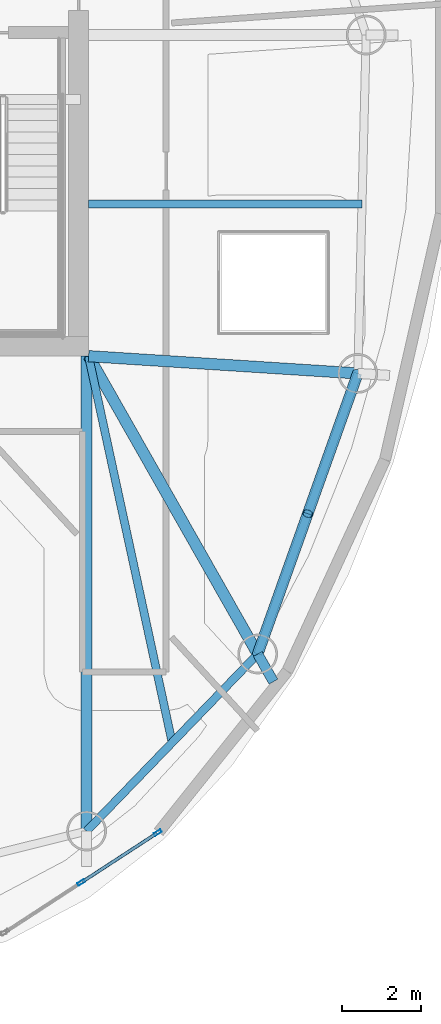
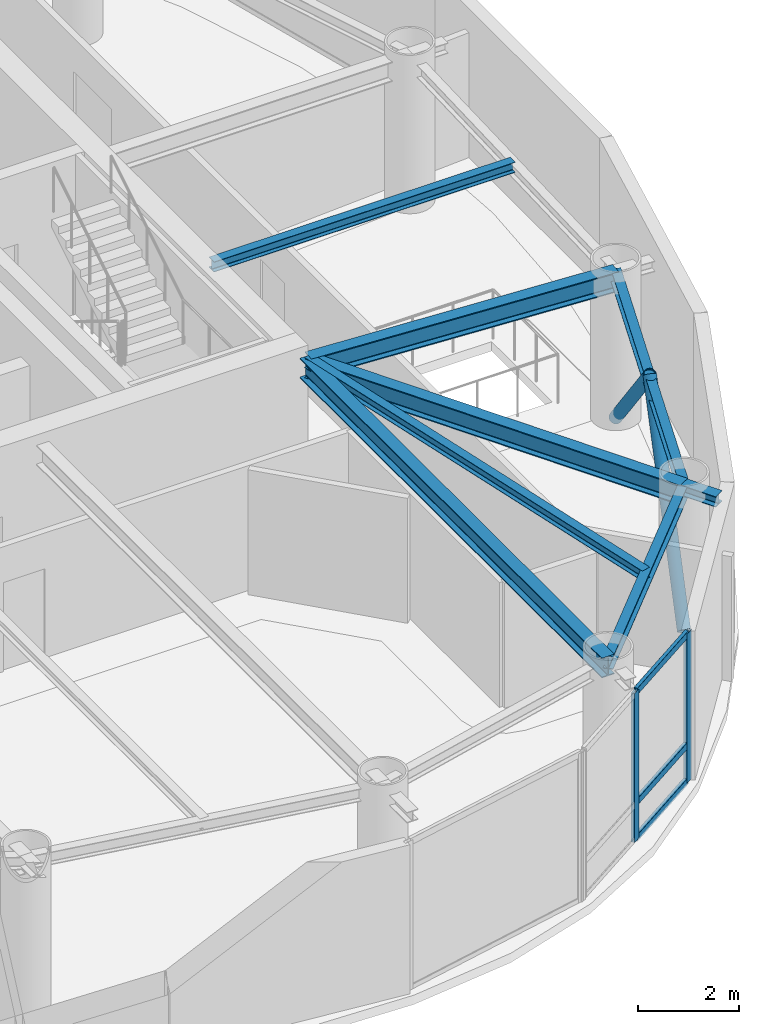
# One storey, part 7 of 20: 8 beams, 7 members, 1 element without a shape of its own.
"""IFC4 building model written with IfcOpenShell, lengths in metres."""

import ifcopenshell
import ifcopenshell.guid

model = None  # the IFC model being written
_history = None  # IfcOwnerHistory: only IFC2X3 demands one
_inside = {}  # id of a spatial element -> (the spatial element, [elements in it])
_under = {}  # id of a project, library or spatial element -> (it, [spatial elements below it])
_declared = {}  # id of a project -> (the project, [libraries it declares])
_typed = {}  # id of a type object -> (the type object, [elements of that type])
_made_of = {}  # id of a material, layer set ... -> (it, [elements and type objects made of it])


def new_model(schema):
    """Start an empty IFC model of exactly this schema.

    Asked for "IFC4X3", IfcOpenShell would pick the latest addendum, in which some entities
    have other attributes; the version numbers below select the first issue.
    IFC2X3 requires an IfcOwnerHistory on every rooted entity: one is made here for all.
    """
    global model, _history
    if schema == "IFC4X3":
        model = ifcopenshell.file(schema_version=(4, 3, 0, 0))
    else:
        model = ifcopenshell.file(schema=schema)
    _inside.clear()
    _under.clear()
    _declared.clear()
    _typed.clear()
    _made_of.clear()
    _history = None
    if model.schema == "IFC2X3":
        org = make("IfcOrganization", Name="unknown")
        user = make(
            "IfcPersonAndOrganization",
            ThePerson=make("IfcPerson", FamilyName="unknown"),
            TheOrganization=org,
        )
        app = make(
            "IfcApplication",
            ApplicationDeveloper=org,
            Version="unknown",
            ApplicationFullName="unknown",
            ApplicationIdentifier="unknown",
        )
        _history = make(
            "IfcOwnerHistory",
            OwningUser=user,
            OwningApplication=app,
            ChangeAction="ADDED",
            CreationDate=0,
        )
    return model


def make(cls, **values):
    """One entity of the class cls with the attributes given. An attribute that is None is left unset."""
    return model.create_entity(
        cls, **{name: value for name, value in values.items() if value is not None}
    )


def rooted(cls, **values):
    """An entity with a GlobalId (a new one), such as an element, a storey or a relation."""
    return make(cls, GlobalId=ifcopenshell.guid.new(), OwnerHistory=_history, **values)


def si_unit(unit_type, name, prefix=None):
    """IfcSIUnit, for example si_unit("LENGTHUNIT", "METRE", prefix="MILLI")."""
    return make("IfcSIUnit", UnitType=unit_type, Prefix=prefix, Name=name)


def assignment(units):
    """IfcUnitAssignment: the units of a project."""
    return None if units is None else make("IfcUnitAssignment", Units=units)


def point(xyz):
    """IfcCartesianPoint."""
    return None if xyz is None else make("IfcCartesianPoint", Coordinates=xyz)


def direction(xyz):
    """IfcDirection."""
    return None if xyz is None else make("IfcDirection", DirectionRatios=xyz)


def frame(location, z_axis=None, x_axis=None):
    """IfcAxis2Placement3D, a coordinate frame: its origin and axes. An axis left out is left unset."""
    return make(
        "IfcAxis2Placement3D",
        Location=point(location),
        Axis=direction(z_axis),
        RefDirection=direction(x_axis),
    )


def frame_2d(location, x_axis=None):
    """IfcAxis2Placement2D, a coordinate frame in the plane: its origin and x axis."""
    return make(
        "IfcAxis2Placement2D", Location=point(location), RefDirection=direction(x_axis)
    )


def origin():
    """The frame at (0, 0, 0) with its axes left unset."""
    return frame((0.0, 0.0, 0.0))


def origin_2d():
    """The frame at (0, 0) in the plane with its x axis left unset."""
    return frame_2d((0.0, 0.0))


def place(relative_to, where):
    """IfcLocalPlacement: puts the frame where relative to a parent placement (None: the world)."""
    return make(
        "IfcLocalPlacement", PlacementRelTo=relative_to, RelativePlacement=where
    )


def context(
    kind, dimensions, precision=None, world=None, true_north=None, identifier=None
):
    """IfcGeometricRepresentationContext, for example the 3D "Model" context."""
    return make(
        "IfcGeometricRepresentationContext",
        ContextIdentifier=identifier,
        ContextType=kind,
        CoordinateSpaceDimension=dimensions,
        Precision=precision,
        WorldCoordinateSystem=world,
        TrueNorth=true_north,
    )


def subcontext(parent, identifier, kind, view, scale=None):
    """IfcGeometricRepresentationSubContext, for example "Body" below "Model"."""
    return make(
        "IfcGeometricRepresentationSubContext",
        ContextIdentifier=identifier,
        ContextType=kind,
        ParentContext=parent,
        TargetScale=scale,
        TargetView=view,
    )


def project(units=None, contexts=None):
    """IfcProject with its units and contexts."""
    return rooted(
        "IfcProject",
        Name="project",
        RepresentationContexts=contexts,
        UnitsInContext=assignment(units),
    )


def spatial(cls, under=None, at=None, **own):
    """A site, building, storey or space (cls), placed at a placement, below another one or the project."""
    s = rooted(cls, ObjectPlacement=at, **own)
    if under is not None:
        _under.setdefault(under.id(), (under, []))[1].append(s)
    return s


def profile(cls, at=None, kind="AREA", **sizes):
    """A parametric profile (cls). Its sizes go by their IFC names, for example OverallWidth=200.0."""
    return make(cls, ProfileType=kind, Position=at, **sizes)


def hollow_rectangle(**sizes):
    """IfcRectangleHollowProfileDef."""
    return profile("IfcRectangleHollowProfileDef", **sizes)


def hollow_circle(**sizes):
    """IfcCircleHollowProfileDef."""
    return profile("IfcCircleHollowProfileDef", **sizes)


def i_section(**sizes):
    """IfcIShapeProfileDef."""
    return profile("IfcIShapeProfileDef", **sizes)


def extrude(swept, where, along, depth):
    """IfcExtrudedAreaSolid: the profile swept, set in the frame where, extruded along a direction by depth."""
    return make(
        "IfcExtrudedAreaSolid",
        SweptArea=swept,
        Position=where,
        ExtrudedDirection=direction(along),
        Depth=depth,
    )


def shape(context_of_items, identifier, shape_type, items):
    """IfcShapeRepresentation: the items that make up one representation, for example the "Body"."""
    return make(
        "IfcShapeRepresentation",
        ContextOfItems=context_of_items,
        RepresentationIdentifier=identifier,
        RepresentationType=shape_type,
        Items=items,
    )


def material(Name=None, Category=None):
    """IfcMaterial."""
    return make("IfcMaterial", Name=Name, Category=Category)


def layer(
    of_material, thickness, ventilated=None, Name=None, Category=None, Priority=None
):
    """IfcMaterialLayer: one layer of a wall or slab, of a material (None: an air gap)."""
    return make(
        "IfcMaterialLayer",
        Material=of_material,
        LayerThickness=thickness,
        IsVentilated=ventilated,
        Name=Name,
        Category=Category,
        Priority=Priority,
    )


def layer_set(layers, Name=None):
    """IfcMaterialLayerSet."""
    return make("IfcMaterialLayerSet", MaterialLayers=layers, LayerSetName=Name)


def material_profile(
    of_material, cross_section, Name=None, Category=None, Priority=None
):
    """IfcMaterialProfile: a cross section and its material."""
    return make(
        "IfcMaterialProfile",
        Name=Name,
        Material=of_material,
        Profile=cross_section,
        Priority=Priority,
        Category=Category,
    )


def profile_set(profiles, Name=None, composite=None):
    """IfcMaterialProfileSet."""
    return make(
        "IfcMaterialProfileSet",
        Name=Name,
        MaterialProfiles=profiles,
        CompositeProfile=composite,
    )


def made_of(thing, what):
    """Note that an element or type object is made of a material, layer set ...; save() writes the relation."""
    if what is not None:
        _made_of.setdefault(what.id(), (what, []))[1].append(thing)
    return thing


def type_object(cls, material=None, **own):
    """A type object (cls), such as IfcWallType, which elements share."""
    return made_of(rooted(cls, **own), material)


def element(
    cls,
    number,
    at=None,
    inside=None,
    cuts=None,
    type_object=None,
    material=None,
    context=None,
    identifier="Body",
    shape_type=None,
    held_by="IfcProductDefinitionShape",
    body=None,
    shapes=None,
    **own,
):
    """One element of the class cls, such as IfcWall. Its Tag is "e" and its number.

    at: its placement. inside: the storey or other place that contains it. cuts: it is an
    opening in that element (IfcRelVoidsElement). A single representation is given by context,
    identifier, shape_type and body (its items); several are given by shapes. held_by: the class
    of the entity that holds the representations. save() writes the other relations.
    """
    e = rooted(cls, Tag="e%d" % number, ObjectPlacement=at, **own)
    if body is not None:
        shapes = [shape(context, identifier, shape_type, body)]
    if shapes is not None:
        e.Representation = make(held_by, Representations=shapes)
    if inside is not None:
        _inside.setdefault(inside.id(), (inside, []))[1].append(e)
    if cuts is not None:
        rooted(
            "IfcRelVoidsElement", RelatingBuildingElement=cuts, RelatedOpeningElement=e
        )
    if type_object is not None:
        _typed.setdefault(type_object.id(), (type_object, []))[1].append(e)
    return made_of(e, material)


def aggregate(whole, parts):
    """IfcRelAggregates: a whole, such as a stair, and the parts it consists of."""
    return rooted("IfcRelAggregates", RelatingObject=whole, RelatedObjects=parts)


def save(model, path):
    """Write the relations noted so far, then the file.

    IfcRelAggregates (storeys below a building ...), IfcRelContainedInSpatialStructure (elements
    in a storey), IfcRelDefinesByType, IfcRelAssociatesMaterial and IfcRelDeclares: one each for
    every whole, place, type object, material and project.
    """
    for whole, parts in _under.values():
        aggregate(whole, parts)
    for where, things in _inside.values():
        rooted(
            "IfcRelContainedInSpatialStructure",
            RelatedElements=things,
            RelatingStructure=where,
        )
    for kind, things in _typed.values():
        rooted("IfcRelDefinesByType", RelatedObjects=things, RelatingType=kind)
    for what, things in _made_of.values():
        rooted("IfcRelAssociatesMaterial", RelatedObjects=things, RelatingMaterial=what)
    for by, libraries in _declared.values():
        rooted("IfcRelDeclares", RelatingContext=by, RelatedDefinitions=libraries)
    model.write(path)


model = new_model("IFC4")

# Units and contexts
model_context = context("Model", 3, precision=1e-05, world=origin(), true_north=direction((0.0, 1.0)))
body_context = subcontext(model_context, "Body", "Model", "MODEL_VIEW")
ifc_project = project(units=[si_unit("LENGTHUNIT", "METRE"), si_unit("AREAUNIT", "SQUARE_METRE"), si_unit("VOLUMEUNIT", "CUBIC_METRE"), si_unit("PLANEANGLEUNIT", "RADIAN"), si_unit("MASSUNIT", "GRAM", prefix="KILO")], contexts=[model_context])

# Site, building, storey
site_placement = place(None, origin())
site = spatial("IfcSite", under=ifc_project, at=site_placement, CompositionType="ELEMENT")
building_placement = place(site_placement, origin())
building = spatial("IfcBuilding", under=site, at=building_placement, Name="Bramvorn Convention Spire", CompositionType="ELEMENT")
storey_placement = place(building_placement, frame((0.0, 0.0, 303.64990234375)))
storey = spatial("IfcBuildingStorey", under=building, at=storey_placement, Name="L77", CompositionType="ELEMENT", Elevation=303.64990234375)

# Beams
ifc_material_1 = material(Name="Steel CSA G40.21 Grade 350 (350W)", Category="steel")
ifc_material_profile_1 = material_profile(ifc_material_1, i_section(OverallWidth=0.201904296875, OverallDepth=0.2470703125, WebThickness=0.00732421875, FlangeThickness=0.010986328125, FilletRadius=0.011962890625, at=origin_2d()))
ifc_profile_set_1 = profile_set([ifc_material_profile_1], Name="Steel CSA G40.21 Grade 350 (350W) - W250X49")
beam_type_1 = type_object("IfcBeamType", Name="BM-W250X49", PredefinedType="JOIST", material=ifc_profile_set_1)
beam_1_placement = place(storey_placement, frame((49.25, 18.550048828125, 3.4765625), z_axis=(0.211461445939, -0.977386339623, 0.0), x_axis=(0.977386339623, 0.211461445939, 0.0)))
element("IfcBeam", 1, at=beam_1_placement, inside=storey, type_object=beam_type_1, Name="L77 composite floor joist 01", PredefinedType="JOIST", context=body_context, shape_type="SweptSolid", body=[
    extrude(i_section(OverallWidth=0.201904296875, OverallDepth=0.2470703125, WebThickness=0.00732421875, FlangeThickness=0.010986328125, FilletRadius=0.011962890625, at=origin_2d()), origin(), (0.0, 0.0, 1.0), 9.9462890625),
])
beam_2_placement = place(storey_placement, frame((49.25, 22.373046875, 3.4765625), z_axis=(1.0, 0.0, 0.0), x_axis=(0.0, 1.0, 0.0)))
element("IfcBeam", 2, at=beam_2_placement, inside=storey, type_object=beam_type_1, Name="L77 composite floor joist 03", PredefinedType="JOIST", context=body_context, shape_type="SweptSolid", body=[
    extrude(i_section(OverallWidth=0.201904296875, OverallDepth=0.2470703125, WebThickness=0.00732421875, FlangeThickness=0.010986328125, FilletRadius=0.011962890625, at=origin_2d()), origin(), (0.0, 0.0, 1.0), 6.879150390625),
])
ifc_material_profile_2 = material_profile(ifc_material_1, i_section(OverallWidth=0.25390625, OverallDepth=0.2529296875, WebThickness=0.008544921875, FlangeThickness=0.01416015625, FilletRadius=0.011962890625, at=origin_2d()))
ifc_profile_set_2 = profile_set([ifc_material_profile_2], Name="Steel CSA G40.21 Grade 350 (350W) - W250X73")
beam_type_2 = type_object("IfcBeamType", Name="BM-W250X73", PredefinedType="BEAM", material=ifc_profile_set_2)
beam_3_placement = place(storey_placement, frame((53.50634765625, 11.05615234375, 3.4736328125), z_axis=(0.494067079829, -0.869423786556, 0.0), x_axis=(0.869423786556, 0.494067079829, 0.0)))
element("IfcBeam", 3, at=beam_3_placement, inside=storey, type_object=beam_type_2, Name="L77 slab-edge cantilever tip beam MC02", PredefinedType="BEAM", context=body_context, shape_type="SweptSolid", body=[
    extrude(i_section(OverallWidth=0.25390625, OverallDepth=0.2529296875, WebThickness=0.008544921875, FlangeThickness=0.01416015625, FilletRadius=0.011962890625, at=origin_2d()), origin(), (0.0, 0.0, 1.0), 0.800048828125),
])
ifc_material_profile_3 = material_profile(ifc_material_1, i_section(OverallWidth=0.202880859375, OverallDepth=0.302978515625, WebThickness=0.007568359375, FlangeThickness=0.01318359375, FilletRadius=0.013916015625, at=origin_2d()))
ifc_profile_set_3 = profile_set([ifc_material_profile_3], Name="Steel CSA G40.21 Grade 350 (350W) - W310X60")
beam_type_3 = type_object("IfcBeamType", Name="BM-W310X60", PredefinedType="JOIST", material=ifc_profile_set_3)
beam_4_placement = place(storey_placement, frame((49.199951171875, 6.60107421875, 3.448486328125), z_axis=(0.695007159797, 0.719002814898, 0.0), x_axis=(-0.719002814898, 0.695007159797, 0.0)))
element("IfcBeam", 4, at=beam_4_placement, inside=storey, type_object=beam_type_3, Name="L77 mega-column ring beam 01", PredefinedType="JOIST", context=body_context, shape_type="SweptSolid", body=[
    extrude(i_section(OverallWidth=0.202880859375, OverallDepth=0.302978515625, WebThickness=0.007568359375, FlangeThickness=0.01318359375, FilletRadius=0.013916015625, at=origin_2d()), origin(), (0.0, 0.0, 1.0), 6.1962890625),
])
beam_5_placement = place(storey_placement, frame((53.50634765625, 11.05615234375, 3.448486328125), z_axis=(0.335839090413, 0.941919373063, 0.0), x_axis=(-0.941919373063, 0.335839090413, 0.0)))
element("IfcBeam", 5, at=beam_5_placement, inside=storey, type_object=beam_type_3, Name="L77 mega-column ring beam 02", PredefinedType="JOIST", context=body_context, shape_type="SweptSolid", body=[
    extrude(i_section(OverallWidth=0.202880859375, OverallDepth=0.302978515625, WebThickness=0.007568359375, FlangeThickness=0.01318359375, FilletRadius=0.013916015625, at=origin_2d()), origin(), (0.0, 0.0, 1.0), 7.49560546875),
])
ifc_material_profile_4 = material_profile(ifc_material_1, i_section(OverallWidth=0.283935546875, OverallDepth=0.47607421875, WebThickness=0.014892578125, FlangeThickness=0.02392578125, FilletRadius=0.01806640625, at=origin_2d()))
ifc_profile_set_4 = profile_set([ifc_material_profile_4], Name="Steel CSA G40.21 Grade 350 (350W) - W460X158")
beam_type_4 = type_object("IfcBeamType", Name="BM-W460X158", PredefinedType="SPANDREL", material=ifc_profile_set_4)
beam_6_placement = place(storey_placement, frame((49.199951171875, 18.550048828125, 3.362060546875), z_axis=(0.0, -1.0, 0.0), x_axis=(1.0, 0.0, 0.0)))
element("IfcBeam", 6, at=beam_6_placement, inside=storey, type_object=beam_type_4, Name="L77 radial floor girder MC01", PredefinedType="SPANDREL", context=body_context, shape_type="SweptSolid", body=[
    extrude(i_section(OverallWidth=0.283935546875, OverallDepth=0.47607421875, WebThickness=0.014892578125, FlangeThickness=0.02392578125, FilletRadius=0.01806640625, at=origin_2d()), origin(), (0.0, 0.0, 1.0), 11.948974609375),
])
beam_7_placement = place(storey_placement, frame((49.25, 18.550048828125, 3.362060546875), z_axis=(0.493873612118, -0.869533699895, 0.0), x_axis=(0.869533699895, 0.493873612118, 0.0)))
element("IfcBeam", 7, at=beam_7_placement, inside=storey, type_object=beam_type_4, Name="L77 radial floor girder MC02", PredefinedType="SPANDREL", context=body_context, shape_type="SweptSolid", body=[
    extrude(i_section(OverallWidth=0.283935546875, OverallDepth=0.47607421875, WebThickness=0.014892578125, FlangeThickness=0.02392578125, FilletRadius=0.01806640625, at=origin_2d()), origin(), (0.0, 0.0, 1.0), 8.618408203125),
])
beam_8_placement = place(storey_placement, frame((49.25, 18.550048828125, 3.362060546875), z_axis=(0.997957536354, -0.063880792379, 0.0), x_axis=(0.063880792379, 0.997957536354, 0.0)))
element("IfcBeam", 8, at=beam_8_placement, inside=storey, type_object=beam_type_4, Name="L77 radial floor girder MC03", PredefinedType="SPANDREL", context=body_context, shape_type="SweptSolid", body=[
    extrude(i_section(OverallWidth=0.283935546875, OverallDepth=0.47607421875, WebThickness=0.014892578125, FlangeThickness=0.02392578125, FilletRadius=0.01806640625, at=origin_2d()), origin(), (0.0, 0.0, 1.0), 6.78759765625),
])

# Curtain wall, members
ifc_material_2 = material(Name="Anodised Bronze Unitised Curtain Wall", Category="aluminium")
ifc_layer = layer(ifc_material_2, 0.179931640625)
ifc_layer_set = layer_set([ifc_layer], Name="Anodised Bronze Unitised Curtain Wall - CW-OFF-FRIT")
curtain_wall_type = type_object("IfcCurtainWallType", Name="CW-OFF-FRIT", PredefinedType="USERDEFINED", material=ifc_layer_set)
curtain_wall_placement = place(storey_placement, origin())
curtain_wall = element("IfcCurtainWall", 9, at=curtain_wall_placement, inside=storey, type_object=curtain_wall_type, Name="L77 fritted glass curtain wall 01", ObjectType="UNITISED CURTAIN WALL", PredefinedType="USERDEFINED")
ifc_material_3 = material(Name="Anodised Bronze Aluminium 6063-T6", Category="aluminium")
ifc_material_profile_5 = material_profile(ifc_material_3, hollow_rectangle(XDim=0.080078125, YDim=0.199951171875, WallThickness=0.00390625, InnerFilletRadius=0.0009765625, OuterFilletRadius=0.00390625, at=origin_2d()))
ifc_profile_set_5 = profile_set([ifc_material_profile_5], Name="Anodised Bronze Aluminium 6063-T6 - CWM80X200")
member_type_1 = type_object("IfcMemberType", Name="CW-MUL-180", PredefinedType="MULLION", material=ifc_profile_set_5)
member_1_placement = place(storey_placement, frame((50.990478515625, 6.56103515625, 0.0), z_axis=(0.0, 0.0, 1.0), x_axis=(0.546036222066, -0.837761567626, 0.0)))
member_1 = element("IfcMember", 10, at=member_1_placement, type_object=member_type_1, Name="CW3 mullion 1", PredefinedType="MULLION", context=body_context, shape_type="SweptSolid", body=[
    extrude(hollow_rectangle(XDim=0.080078125, YDim=0.199951171875, WallThickness=0.00390625, InnerFilletRadius=0.0009765625, OuterFilletRadius=0.00390625, at=origin_2d()), origin(), (0.0, 0.0, 1.0), 3.60009765625),
])
member_2_placement = place(storey_placement, frame((49.0673828125, 5.307861328125, 0.0), z_axis=(0.0, 0.0, 1.0), x_axis=(0.546036222066, -0.837761567626, 0.0)))
member_2 = element("IfcMember", 11, at=member_2_placement, type_object=member_type_1, Name="CW3 mullion 2", PredefinedType="MULLION", context=body_context, shape_type="SweptSolid", body=[
    extrude(hollow_rectangle(XDim=0.080078125, YDim=0.199951171875, WallThickness=0.00390625, InnerFilletRadius=0.0009765625, OuterFilletRadius=0.00390625, at=origin_2d()), origin(), (0.0, 0.0, 1.0), 3.60009765625),
])
ifc_material_profile_6 = material_profile(ifc_material_3, hollow_rectangle(XDim=0.080078125, YDim=0.159912109375, WallThickness=0.00390625, InnerFilletRadius=0.0009765625, OuterFilletRadius=0.00390625, at=origin_2d()))
ifc_profile_set_6 = profile_set([ifc_material_profile_6], Name="Anodised Bronze Aluminium 6063-T6 - CWT80X160")
member_type_2 = type_object("IfcMemberType", Name="CW-TRN-150", PredefinedType="USERDEFINED", material=ifc_profile_set_6)
member_3_placement = place(storey_placement, frame((50.96533203125, 6.544677734375, 0.030029296875), z_axis=(-0.837801747281, -0.545974571068, 0.0), x_axis=(0.545974571068, -0.837801747281, 0.0)))
member_3 = element("IfcMember", 12, at=member_3_placement, type_object=member_type_2, Name="CW3 transom 1.1", ObjectType="TRANSOM", PredefinedType="USERDEFINED", context=body_context, shape_type="SweptSolid", body=[
    extrude(hollow_rectangle(XDim=0.080078125, YDim=0.159912109375, WallThickness=0.00390625, InnerFilletRadius=0.0009765625, OuterFilletRadius=0.00390625, at=origin_2d()), origin(), (0.0, 0.0, 1.0), 2.2353515625),
])
member_4_placement = place(storey_placement, frame((50.96533203125, 6.544677734375, 0.900146484375), z_axis=(-0.837801747281, -0.545974571068, 0.0), x_axis=(0.545974571068, -0.837801747281, 0.0)))
member_4 = element("IfcMember", 13, at=member_4_placement, type_object=member_type_2, Name="CW3 transom 1.2", ObjectType="TRANSOM", PredefinedType="USERDEFINED", context=body_context, shape_type="SweptSolid", body=[
    extrude(hollow_rectangle(XDim=0.080078125, YDim=0.159912109375, WallThickness=0.00390625, InnerFilletRadius=0.0009765625, OuterFilletRadius=0.00390625, at=origin_2d()), origin(), (0.0, 0.0, 1.0), 2.2353515625),
])
member_5_placement = place(storey_placement, frame((50.96533203125, 6.544677734375, 3.570068359375), z_axis=(-0.837801747281, -0.545974571068, 0.0), x_axis=(0.545974571068, -0.837801747281, 0.0)))
member_5 = element("IfcMember", 14, at=member_5_placement, type_object=member_type_2, Name="CW3 transom 1.3", ObjectType="TRANSOM", PredefinedType="USERDEFINED", context=body_context, shape_type="SweptSolid", body=[
    extrude(hollow_rectangle(XDim=0.080078125, YDim=0.159912109375, WallThickness=0.00390625, InnerFilletRadius=0.0009765625, OuterFilletRadius=0.00390625, at=origin_2d()), origin(), (0.0, 0.0, 1.0), 2.2353515625),
])
aggregate(curtain_wall, [member_1, member_2, member_3, member_4, member_5])

# Members
ifc_material_profile_7 = material_profile(ifc_material_1, hollow_circle(Radius=0.136474609375, WallThickness=0.0126953125, at=origin_2d()))
ifc_profile_set_7 = profile_set([ifc_material_profile_7], Name="Steel CSA G40.21 Grade 350 (350W) - CHS273X13")
member_type_3 = type_object("IfcMemberType", Name="MBR-CHS273X13", PredefinedType="BRACE", material=ifc_profile_set_7)
member_6_placement = place(storey_placement, frame((53.50634765625, 11.05615234375, 0.0), z_axis=(0.242217811714, 0.679299758997, 0.692735425047), x_axis=(-0.941912743486, 0.335857683639, 0.0)))
element("IfcMember", 15, at=member_6_placement, inside=storey, type_object=member_type_3, Name="L77 perimeter Gothic lancet brace 2A", PredefinedType="BRACE", context=body_context, shape_type="SweptSolid", body=[
    extrude(hollow_circle(Radius=0.136474609375, WallThickness=0.0126953125, at=origin_2d()), origin(), (0.0, 0.0, 1.0), 5.197021484375),
])
member_7_placement = place(storey_placement, frame((56.023681640625, 18.116455078125, 0.0), z_axis=(-0.242181317805, -0.67928218703, 0.692765414617), x_axis=(0.941926002824, -0.335820495509, 0.0)))
element("IfcMember", 16, at=member_7_placement, inside=storey, type_object=member_type_3, Name="L77 perimeter Gothic lancet brace 2B", PredefinedType="BRACE", context=body_context, shape_type="SweptSolid", body=[
    extrude(hollow_circle(Radius=0.136474609375, WallThickness=0.0126953125, at=origin_2d()), origin(), (0.0, 0.0, 1.0), 5.19677734375),
])

save(model, "model.ifc")
